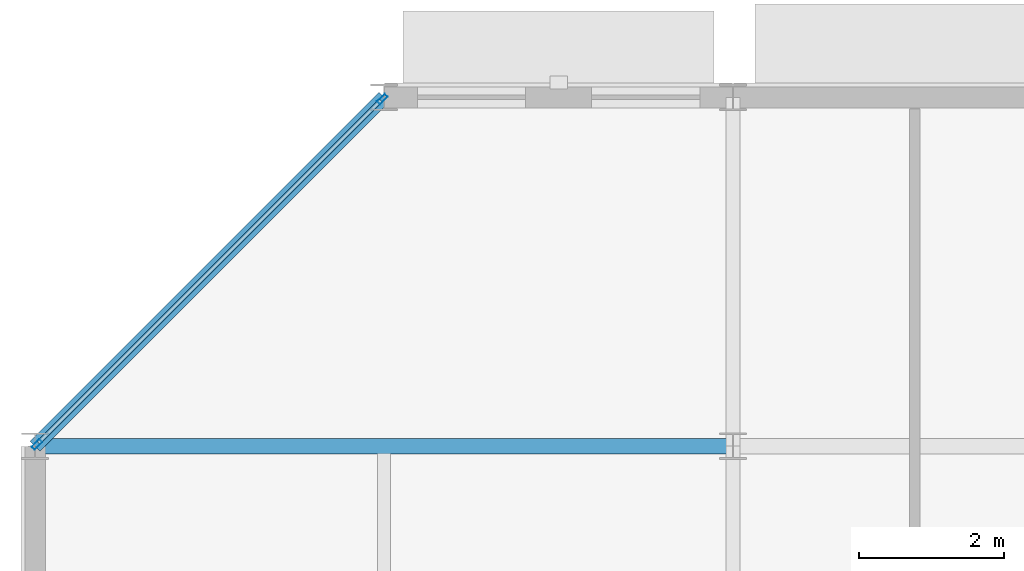
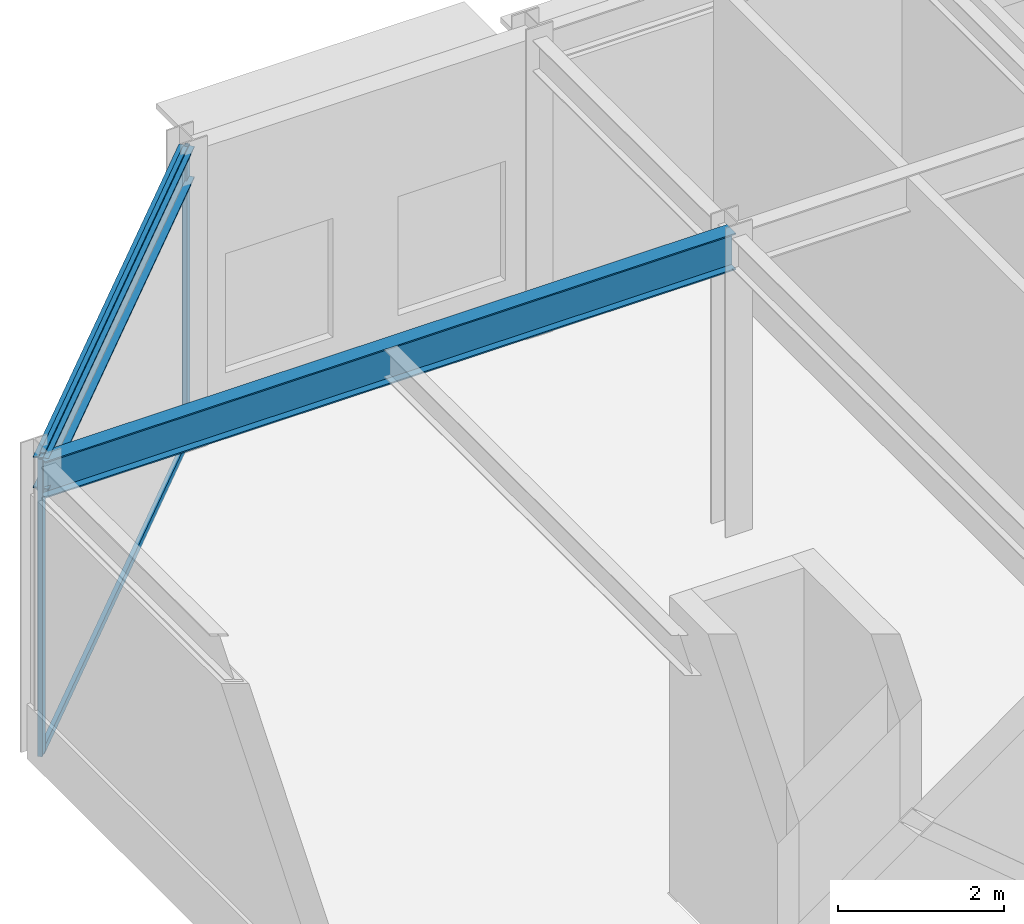
# One storey, part 60 of 133: 4 members, 2 beams, 1 element without a shape of its own.
"""IFC4 building model written with IfcOpenShell, lengths in metres."""

import ifcopenshell
import ifcopenshell.guid

model = None  # the IFC model being written
_history = None  # IfcOwnerHistory: only IFC2X3 demands one
_inside = {}  # id of a spatial element -> (the spatial element, [elements in it])
_under = {}  # id of a project, library or spatial element -> (it, [spatial elements below it])
_declared = {}  # id of a project -> (the project, [libraries it declares])
_typed = {}  # id of a type object -> (the type object, [elements of that type])
_made_of = {}  # id of a material, layer set ... -> (it, [elements and type objects made of it])


def new_model(schema):
    """Start an empty IFC model of exactly this schema.

    Asked for "IFC4X3", IfcOpenShell would pick the latest addendum, in which some entities
    have other attributes; the version numbers below select the first issue.
    IFC2X3 requires an IfcOwnerHistory on every rooted entity: one is made here for all.
    """
    global model, _history
    if schema == "IFC4X3":
        model = ifcopenshell.file(schema_version=(4, 3, 0, 0))
    else:
        model = ifcopenshell.file(schema=schema)
    _inside.clear()
    _under.clear()
    _declared.clear()
    _typed.clear()
    _made_of.clear()
    _history = None
    if model.schema == "IFC2X3":
        org = make("IfcOrganization", Name="unknown")
        user = make(
            "IfcPersonAndOrganization",
            ThePerson=make("IfcPerson", FamilyName="unknown"),
            TheOrganization=org,
        )
        app = make(
            "IfcApplication",
            ApplicationDeveloper=org,
            Version="unknown",
            ApplicationFullName="unknown",
            ApplicationIdentifier="unknown",
        )
        _history = make(
            "IfcOwnerHistory",
            OwningUser=user,
            OwningApplication=app,
            ChangeAction="ADDED",
            CreationDate=0,
        )
    return model


def make(cls, **values):
    """One entity of the class cls with the attributes given. An attribute that is None is left unset."""
    return model.create_entity(
        cls, **{name: value for name, value in values.items() if value is not None}
    )


def rooted(cls, **values):
    """An entity with a GlobalId (a new one), such as an element, a storey or a relation."""
    return make(cls, GlobalId=ifcopenshell.guid.new(), OwnerHistory=_history, **values)


def si_unit(unit_type, name, prefix=None):
    """IfcSIUnit, for example si_unit("LENGTHUNIT", "METRE", prefix="MILLI")."""
    return make("IfcSIUnit", UnitType=unit_type, Prefix=prefix, Name=name)


def assignment(units):
    """IfcUnitAssignment: the units of a project."""
    return None if units is None else make("IfcUnitAssignment", Units=units)


def point(xyz):
    """IfcCartesianPoint."""
    return None if xyz is None else make("IfcCartesianPoint", Coordinates=xyz)


def direction(xyz):
    """IfcDirection."""
    return None if xyz is None else make("IfcDirection", DirectionRatios=xyz)


def frame(location, z_axis=None, x_axis=None):
    """IfcAxis2Placement3D, a coordinate frame: its origin and axes. An axis left out is left unset."""
    return make(
        "IfcAxis2Placement3D",
        Location=point(location),
        Axis=direction(z_axis),
        RefDirection=direction(x_axis),
    )


def frame_2d(location, x_axis=None):
    """IfcAxis2Placement2D, a coordinate frame in the plane: its origin and x axis."""
    return make(
        "IfcAxis2Placement2D", Location=point(location), RefDirection=direction(x_axis)
    )


def origin():
    """The frame at (0, 0, 0) with its axes left unset."""
    return frame((0.0, 0.0, 0.0))


def origin_2d():
    """The frame at (0, 0) in the plane with its x axis left unset."""
    return frame_2d((0.0, 0.0))


def place(relative_to, where):
    """IfcLocalPlacement: puts the frame where relative to a parent placement (None: the world)."""
    return make(
        "IfcLocalPlacement", PlacementRelTo=relative_to, RelativePlacement=where
    )


def context(
    kind, dimensions, precision=None, world=None, true_north=None, identifier=None
):
    """IfcGeometricRepresentationContext, for example the 3D "Model" context."""
    return make(
        "IfcGeometricRepresentationContext",
        ContextIdentifier=identifier,
        ContextType=kind,
        CoordinateSpaceDimension=dimensions,
        Precision=precision,
        WorldCoordinateSystem=world,
        TrueNorth=true_north,
    )


def subcontext(parent, identifier, kind, view, scale=None):
    """IfcGeometricRepresentationSubContext, for example "Body" below "Model"."""
    return make(
        "IfcGeometricRepresentationSubContext",
        ContextIdentifier=identifier,
        ContextType=kind,
        ParentContext=parent,
        TargetScale=scale,
        TargetView=view,
    )


def project(units=None, contexts=None):
    """IfcProject with its units and contexts."""
    return rooted(
        "IfcProject",
        Name="project",
        RepresentationContexts=contexts,
        UnitsInContext=assignment(units),
    )


def spatial(cls, under=None, at=None, **own):
    """A site, building, storey or space (cls), placed at a placement, below another one or the project."""
    s = rooted(cls, ObjectPlacement=at, **own)
    if under is not None:
        _under.setdefault(under.id(), (under, []))[1].append(s)
    return s


def profile(cls, at=None, kind="AREA", **sizes):
    """A parametric profile (cls). Its sizes go by their IFC names, for example OverallWidth=200.0."""
    return make(cls, ProfileType=kind, Position=at, **sizes)


def hollow_rectangle(**sizes):
    """IfcRectangleHollowProfileDef."""
    return profile("IfcRectangleHollowProfileDef", **sizes)


def i_section(**sizes):
    """IfcIShapeProfileDef."""
    return profile("IfcIShapeProfileDef", **sizes)


def extrude(swept, where, along, depth):
    """IfcExtrudedAreaSolid: the profile swept, set in the frame where, extruded along a direction by depth."""
    return make(
        "IfcExtrudedAreaSolid",
        SweptArea=swept,
        Position=where,
        ExtrudedDirection=direction(along),
        Depth=depth,
    )


def shape(context_of_items, identifier, shape_type, items):
    """IfcShapeRepresentation: the items that make up one representation, for example the "Body"."""
    return make(
        "IfcShapeRepresentation",
        ContextOfItems=context_of_items,
        RepresentationIdentifier=identifier,
        RepresentationType=shape_type,
        Items=items,
    )


def material(Name=None, Category=None):
    """IfcMaterial."""
    return make("IfcMaterial", Name=Name, Category=Category)


def material_profile(
    of_material, cross_section, Name=None, Category=None, Priority=None
):
    """IfcMaterialProfile: a cross section and its material."""
    return make(
        "IfcMaterialProfile",
        Name=Name,
        Material=of_material,
        Profile=cross_section,
        Priority=Priority,
        Category=Category,
    )


def profile_set(profiles, Name=None, composite=None):
    """IfcMaterialProfileSet."""
    return make(
        "IfcMaterialProfileSet",
        Name=Name,
        MaterialProfiles=profiles,
        CompositeProfile=composite,
    )


def made_of(thing, what):
    """Note that an element or type object is made of a material, layer set ...; save() writes the relation."""
    if what is not None:
        _made_of.setdefault(what.id(), (what, []))[1].append(thing)
    return thing


def type_object(cls, material=None, **own):
    """A type object (cls), such as IfcWallType, which elements share."""
    return made_of(rooted(cls, **own), material)


def element(
    cls,
    number,
    at=None,
    inside=None,
    cuts=None,
    type_object=None,
    material=None,
    context=None,
    identifier="Body",
    shape_type=None,
    held_by="IfcProductDefinitionShape",
    body=None,
    shapes=None,
    **own,
):
    """One element of the class cls, such as IfcWall. Its Tag is "e" and its number.

    at: its placement. inside: the storey or other place that contains it. cuts: it is an
    opening in that element (IfcRelVoidsElement). A single representation is given by context,
    identifier, shape_type and body (its items); several are given by shapes. held_by: the class
    of the entity that holds the representations. save() writes the other relations.
    """
    e = rooted(cls, Tag="e%d" % number, ObjectPlacement=at, **own)
    if body is not None:
        shapes = [shape(context, identifier, shape_type, body)]
    if shapes is not None:
        e.Representation = make(held_by, Representations=shapes)
    if inside is not None:
        _inside.setdefault(inside.id(), (inside, []))[1].append(e)
    if cuts is not None:
        rooted(
            "IfcRelVoidsElement", RelatingBuildingElement=cuts, RelatedOpeningElement=e
        )
    if type_object is not None:
        _typed.setdefault(type_object.id(), (type_object, []))[1].append(e)
    return made_of(e, material)


def aggregate(whole, parts):
    """IfcRelAggregates: a whole, such as a stair, and the parts it consists of."""
    return rooted("IfcRelAggregates", RelatingObject=whole, RelatedObjects=parts)


def save(model, path):
    """Write the relations noted so far, then the file.

    IfcRelAggregates (storeys below a building ...), IfcRelContainedInSpatialStructure (elements
    in a storey), IfcRelDefinesByType, IfcRelAssociatesMaterial and IfcRelDeclares: one each for
    every whole, place, type object, material and project.
    """
    for whole, parts in _under.values():
        aggregate(whole, parts)
    for where, things in _inside.values():
        rooted(
            "IfcRelContainedInSpatialStructure",
            RelatedElements=things,
            RelatingStructure=where,
        )
    for kind, things in _typed.values():
        rooted("IfcRelDefinesByType", RelatedObjects=things, RelatingType=kind)
    for what, things in _made_of.values():
        rooted("IfcRelAssociatesMaterial", RelatedObjects=things, RelatingMaterial=what)
    for by, libraries in _declared.values():
        rooted("IfcRelDeclares", RelatingContext=by, RelatedDefinitions=libraries)
    model.write(path)


model = new_model("IFC4")

# Units and contexts
model_context = context("Model", 3, precision=1e-05, world=origin(), true_north=direction((0.0, 1.0)))
body_context = subcontext(model_context, "Body", "Model", "MODEL_VIEW")
ifc_project = project(units=[si_unit("LENGTHUNIT", "METRE"), si_unit("AREAUNIT", "SQUARE_METRE"), si_unit("VOLUMEUNIT", "CUBIC_METRE"), si_unit("PLANEANGLEUNIT", "RADIAN"), si_unit("MASSUNIT", "GRAM", prefix="KILO")], contexts=[model_context])

# Site, building, storey
site_placement = place(None, origin())
site = spatial("IfcSite", under=ifc_project, at=site_placement, CompositionType="ELEMENT")
building_placement = place(site_placement, origin())
building = spatial("IfcBuilding", under=site, at=building_placement, Name="Almandine Court Research Institute", CompositionType="ELEMENT")
storey_placement = place(building_placement, frame((0.0, 0.0, 9.800048828125)))
storey = spatial("IfcBuildingStorey", under=building, at=storey_placement, Name="L02", CompositionType="ELEMENT", Elevation=9.800048828125)

# Beams
ifc_material_1 = material(Name="Steel ASTM A992 Grade 50", Category="steel")
ifc_material_profile_1 = material_profile(ifc_material_1, i_section(OverallWidth=0.2109375, OverallDepth=0.5390625, WebThickness=0.011962890625, FlangeThickness=0.01904296875, at=origin_2d()), Name="W530x109")
ifc_profile_set_1 = profile_set([ifc_material_profile_1], Name="Steel ASTM A992 Grade 50")
beam_type_1 = type_object("IfcBeamType", Name="Beam-G-04", PredefinedType="BEAM", material=ifc_profile_set_1)
beam_1_placement = place(storey_placement, frame((6.0, 112.800048828125, 4.099853515625), z_axis=(1.0, 0.0, 0.0), x_axis=(0.0, 1.0, 0.0)))
element("IfcBeam", 1, at=beam_1_placement, inside=storey, type_object=beam_type_1, Name="L02 V3 Primary X Girder", PredefinedType="BEAM", context=body_context, shape_type="SweptSolid", body=[
    extrude(i_section(OverallWidth=0.2109375, OverallDepth=0.5390625, WebThickness=0.011962890625, FlangeThickness=0.01904296875, at=origin_2d()), origin(), (0.0, 0.0, 1.0), 9.60009765625),
])
ifc_material_profile_2 = material_profile(ifc_material_1, i_section(OverallWidth=0.193115234375, OverallDepth=0.466064453125, WebThickness=0.010986328125, FlangeThickness=0.01904296875, at=origin_2d()), Name="W460x97")
ifc_profile_set_2 = profile_set([ifc_material_profile_2], Name="Steel ASTM A992 Grade 50")
beam_type_2 = type_object("IfcBeamType", Name="Beam-G-06-E", PredefinedType="SPANDREL", material=ifc_profile_set_2)
beam_2_placement = place(storey_placement, frame((10.800048828125, 117.60009765625, 4.136962890625), z_axis=(-0.707106781187, -0.707106781187, 0.0), x_axis=(0.707106781187, -0.707106781187, 0.0)))
element("IfcBeam", 2, at=beam_2_placement, inside=storey, type_object=beam_type_2, Name="L02 V3 Octagonal Chamfer Spandrel", PredefinedType="SPANDREL", context=body_context, shape_type="SweptSolid", body=[
    extrude(i_section(OverallWidth=0.193115234375, OverallDepth=0.466064453125, WebThickness=0.010986328125, FlangeThickness=0.01904296875, at=origin_2d()), origin(), (0.0, 0.0, 1.0), 6.788330078125),
])

# Curtain wall, members
ifc_material_2 = material(Name="Unitised Curtain Wall Framing and Solar Glazing", Category="glass")
curtain_wall_type = type_object("IfcCurtainWallType", Name="CW-CWG-05", PredefinedType="USERDEFINED", material=ifc_material_2)
curtain_wall_placement = place(storey_placement, origin())
curtain_wall = element("IfcCurtainWall", 3, at=curtain_wall_placement, inside=storey, type_object=curtain_wall_type, Name="L02 Cleanroom NW Chamfer Glazing", ObjectType="UNITISED GLAZING", PredefinedType="USERDEFINED")
ifc_material_3 = material(Name="Anodised Aluminium AW-6063-T6", Category="aluminium")
ifc_material_profile_3 = material_profile(ifc_material_3, hollow_rectangle(XDim=0.06005859375, YDim=0.14990234375, WallThickness=0.00390625, at=origin_2d()), Name="ALU RHS 60x150x4")
ifc_profile_set_3 = profile_set([ifc_material_profile_3], Name="Anodised Aluminium AW-6063-T6")
member_type_1 = type_object("IfcMemberType", Name="CWMul-60x150", PredefinedType="MULLION", material=ifc_profile_set_3)
member_1_placement = place(storey_placement, frame((6.025146484375, 112.8251953125, 0.0), z_axis=(0.0, 0.0, 1.0), x_axis=(-0.707106781187, 0.707106781187, 0.0)))
member_1 = element("IfcMember", 4, at=member_1_placement, type_object=member_type_1, Name="CWG-05 mullion 1", PredefinedType="MULLION", context=body_context, shape_type="SweptSolid", body=[
    extrude(hollow_rectangle(XDim=0.06005859375, YDim=0.14990234375, WallThickness=0.00390625, at=origin_2d()), origin(), (0.0, 0.0, 1.0), 4.369873046875),
])
member_2_placement = place(storey_placement, frame((10.77490234375, 117.57470703125, 0.0), z_axis=(0.0, 0.0, 1.0), x_axis=(-0.707106781187, 0.707106781187, 0.0)))
member_2 = element("IfcMember", 5, at=member_2_placement, type_object=member_type_1, Name="CWG-05 mullion 2", PredefinedType="MULLION", context=body_context, shape_type="SweptSolid", body=[
    extrude(hollow_rectangle(XDim=0.06005859375, YDim=0.14990234375, WallThickness=0.00390625, at=origin_2d()), origin(), (0.0, 0.0, 1.0), 4.369873046875),
])
ifc_material_profile_4 = material_profile(ifc_material_3, hollow_rectangle(XDim=0.06005859375, YDim=0.110107421875, WallThickness=0.00390625, at=origin_2d()), Name="ALU RHS 60x110x4")
ifc_profile_set_4 = profile_set([ifc_material_profile_4], Name="Anodised Aluminium AW-6063-T6")
member_type_2 = type_object("IfcMemberType", Name="CWTrn-60x110", PredefinedType="NOTDEFINED", material=ifc_profile_set_4)
member_3_placement = place(storey_placement, frame((6.04638671875, 112.846435546875, 0.030029296875), z_axis=(0.707125118305, 0.707088443593, 0.0), x_axis=(-0.707088443593, 0.707125118305, 0.0)))
member_3 = element("IfcMember", 6, at=member_3_placement, type_object=member_type_2, Name="CWG-05 transom 1.1", ObjectType="TRANSOM", PredefinedType="USERDEFINED", context=body_context, shape_type="SweptSolid", body=[
    extrude(hollow_rectangle(XDim=0.06005859375, YDim=0.110107421875, WallThickness=0.00390625, at=origin_2d()), origin(), (0.0, 0.0, 1.0), 6.656982421875),
])
member_4_placement = place(storey_placement, frame((6.04638671875, 112.846435546875, 4.33984375), z_axis=(0.707125118305, 0.707088443593, 0.0), x_axis=(-0.707088443593, 0.707125118305, 0.0)))
member_4 = element("IfcMember", 7, at=member_4_placement, type_object=member_type_2, Name="CWG-05 transom 1.2", ObjectType="TRANSOM", PredefinedType="USERDEFINED", context=body_context, shape_type="SweptSolid", body=[
    extrude(hollow_rectangle(XDim=0.06005859375, YDim=0.110107421875, WallThickness=0.00390625, at=origin_2d()), origin(), (0.0, 0.0, 1.0), 6.656982421875),
])
aggregate(curtain_wall, [member_1, member_2, member_3, member_4])

save(model, "model.ifc")
